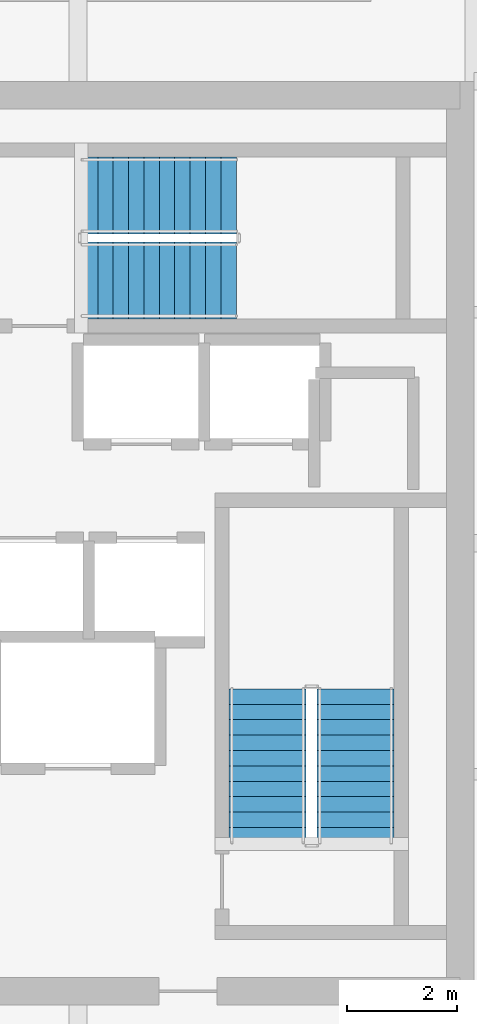
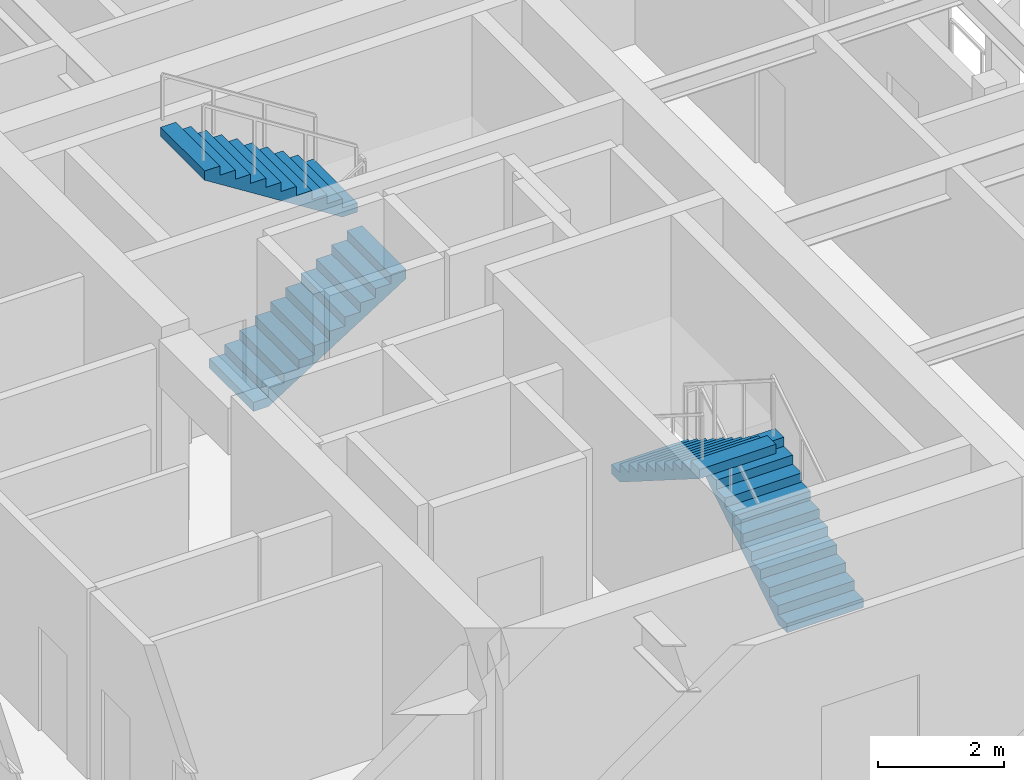
# One storey, part 14 of 16: 4 stair flights, 2 elements without a shape of their own.
"""IFC4 building model written with IfcOpenShell, lengths in metres."""

from ifc_helpers import new_model, si_unit, direction, frame, origin, place, context, subcontext, project, spatial, polyline, outline, extrude, material, type_object, element, aggregate, save


model = new_model("IFC4")

# Units and contexts
model_context = context("Model", 3, precision=1e-05, world=origin(), true_north=direction((0.0, 1.0)))
body_context = subcontext(model_context, "Body", "Model", "MODEL_VIEW")
ifc_project = project(units=[si_unit("LENGTHUNIT", "METRE"), si_unit("AREAUNIT", "SQUARE_METRE"), si_unit("VOLUMEUNIT", "CUBIC_METRE"), si_unit("PLANEANGLEUNIT", "RADIAN"), si_unit("MASSUNIT", "GRAM", prefix="KILO")], contexts=[model_context])

# Site, building, storey
site_placement = place(None, origin())
site = spatial("IfcSite", under=ifc_project, at=site_placement, CompositionType="ELEMENT")
building_placement = place(site_placement, origin())
building = spatial("IfcBuilding", under=site, at=building_placement, Name="Kiyonajd Concourse Tower", CompositionType="ELEMENT")
storey_placement = place(building_placement, frame((0.0, 0.0, 329.699951171875)))
storey = spatial("IfcBuildingStorey", under=building, at=storey_placement, Name="L83", CompositionType="ELEMENT", Elevation=329.699951171875)

# Stair, stair flights
ifc_material = material(Name="Concrete C40/50", Category="concrete")
stair_type = type_object("IfcStairType", Name="ST-DLG-22R", PredefinedType="HALF_TURN_STAIR", material=ifc_material)
stair_1_placement = place(storey_placement, origin())
stair_1 = element("IfcStair", 1, at=stair_1_placement, inside=storey, type_object=stair_type, Name="L83 Protected Exit Stair ST2", PredefinedType="HALF_TURN_STAIR")
stair_flight_type = type_object("IfcStairFlightType", Name="SF-STR-22R", PredefinedType="STRAIGHT", material=ifc_material)
stair_flight_1_placement = place(storey_placement, frame((61.449951171875, 30.550048828125, 0.0), z_axis=(0.0, 0.0, 1.0), x_axis=(0.0, 1.0, 0.0)))
stair_flight_1 = element("IfcStairFlight", 2, at=stair_flight_1_placement, type_object=stair_flight_type, Name="ST2 flight 1", NumberOfRisers=11, NumberOfTreads=10, PredefinedType="STRAIGHT", RiserHeight=0.177272727, TreadLength=0.28, context=body_context, shape_type="SweptSolid", body=[
    extrude(outline(polyline([(0.0, 0.0), (0.0, 0.17724609375), (0.280029296875, 0.17724609375), (0.280029296875, 0.3544921875), (0.56005859375, 0.3544921875), (0.56005859375, 0.53173828125), (0.840087890625, 0.53173828125), (0.840087890625, 0.708984375), (1.1201171875, 0.708984375), (1.1201171875, 0.886474609375), (1.39990234375, 0.886474609375), (1.39990234375, 1.063720703125), (1.679931640625, 1.063720703125), (1.679931640625, 1.240966796875), (1.9599609375, 1.240966796875), (1.9599609375, 1.418212890625), (2.239990234375, 1.418212890625), (2.239990234375, 1.595458984375), (2.52001953125, 1.595458984375), (2.52001953125, 1.772705078125), (2.800048828125, 1.772705078125), (2.800048828125, 1.949951171875), (2.800048828125, 1.59521484375), (0.2802734375, 0.0), (0.0, 0.0)])), frame((0.0, 0.699951171875, 0.0), z_axis=(0.0, -1.0, 0.0), x_axis=(1.0, 0.0, 0.0)), (0.0, 0.0, 1.0), 1.39990234375),
])
stair_flight_2_placement = place(storey_placement, frame((59.85009765625, 33.35009765625, 1.949951171875), z_axis=(0.0, 0.0, 1.0), x_axis=(0.0, -1.0, 0.0)))
stair_flight_2 = element("IfcStairFlight", 3, at=stair_flight_2_placement, type_object=stair_flight_type, Name="ST2 flight 2", NumberOfRisers=11, NumberOfTreads=10, PredefinedType="STRAIGHT", RiserHeight=0.177272727, TreadLength=0.28, context=body_context, shape_type="SweptSolid", body=[
    extrude(outline(polyline([(0.0, 0.0), (0.0, 0.17724609375), (0.280029296875, 0.17724609375), (0.280029296875, 0.3544921875), (0.56005859375, 0.3544921875), (0.56005859375, 0.53173828125), (0.840087890625, 0.53173828125), (0.840087890625, 0.708984375), (1.1201171875, 0.708984375), (1.1201171875, 0.886474609375), (1.39990234375, 0.886474609375), (1.39990234375, 1.063720703125), (1.679931640625, 1.063720703125), (1.679931640625, 1.240966796875), (1.9599609375, 1.240966796875), (1.9599609375, 1.418212890625), (2.239990234375, 1.418212890625), (2.239990234375, 1.595458984375), (2.52001953125, 1.595458984375), (2.52001953125, 1.772705078125), (2.800048828125, 1.772705078125), (2.800048828125, 1.949951171875), (2.800048828125, 1.59521484375), (0.2802734375, 0.0), (0.0, 0.0)])), frame((0.0, 0.699951171875, 0.0), z_axis=(0.0, -1.0, 0.0), x_axis=(1.0, 0.0, 0.0)), (0.0, 0.0, 1.0), 1.39990234375),
])
aggregate(stair_1, [stair_flight_1, stair_flight_2])

stair_2_placement = place(storey_placement, origin())
stair_2 = element("IfcStair", 4, at=stair_2_placement, inside=storey, type_object=stair_type, Name="L83 Protected Exit Stair ST3", PredefinedType="HALF_TURN_STAIR")
stair_flight_3_placement = place(storey_placement, frame((56.47998046875, 40.780029296875, 0.0), z_axis=(0.0, 0.0, 1.0), x_axis=(1.0, 0.0, 0.0)))
stair_flight_3 = element("IfcStairFlight", 5, at=stair_flight_3_placement, type_object=stair_flight_type, Name="ST3 flight 1", NumberOfRisers=11, NumberOfTreads=10, PredefinedType="STRAIGHT", RiserHeight=0.177272727, TreadLength=0.28, context=body_context, shape_type="SweptSolid", body=[
    extrude(outline(polyline([(0.0, 0.0), (0.0, 0.17724609375), (0.280029296875, 0.17724609375), (0.280029296875, 0.3544921875), (0.56005859375, 0.3544921875), (0.56005859375, 0.53173828125), (0.840087890625, 0.53173828125), (0.840087890625, 0.708984375), (1.1201171875, 0.708984375), (1.1201171875, 0.886474609375), (1.39990234375, 0.886474609375), (1.39990234375, 1.063720703125), (1.679931640625, 1.063720703125), (1.679931640625, 1.240966796875), (1.9599609375, 1.240966796875), (1.9599609375, 1.418212890625), (2.239990234375, 1.418212890625), (2.239990234375, 1.595458984375), (2.52001953125, 1.595458984375), (2.52001953125, 1.772705078125), (2.800048828125, 1.772705078125), (2.800048828125, 1.949951171875), (2.800048828125, 1.59521484375), (0.2802734375, 0.0), (0.0, 0.0)])), frame((0.0, 0.699951171875, 0.0), z_axis=(0.0, -1.0, 0.0), x_axis=(1.0, 0.0, 0.0)), (0.0, 0.0, 1.0), 1.39990234375),
])
stair_flight_4_placement = place(storey_placement, frame((59.280029296875, 42.320068359375, 1.949951171875), z_axis=(0.0, 0.0, 1.0), x_axis=(-1.0, 0.0, 0.0)))
stair_flight_4 = element("IfcStairFlight", 6, at=stair_flight_4_placement, type_object=stair_flight_type, Name="ST3 flight 2", NumberOfRisers=11, NumberOfTreads=10, PredefinedType="STRAIGHT", RiserHeight=0.177272727, TreadLength=0.28, context=body_context, shape_type="SweptSolid", body=[
    extrude(outline(polyline([(0.0, 0.0), (0.0, 0.17724609375), (0.280029296875, 0.17724609375), (0.280029296875, 0.3544921875), (0.56005859375, 0.3544921875), (0.56005859375, 0.53173828125), (0.840087890625, 0.53173828125), (0.840087890625, 0.708984375), (1.1201171875, 0.708984375), (1.1201171875, 0.886474609375), (1.39990234375, 0.886474609375), (1.39990234375, 1.063720703125), (1.679931640625, 1.063720703125), (1.679931640625, 1.240966796875), (1.9599609375, 1.240966796875), (1.9599609375, 1.418212890625), (2.239990234375, 1.418212890625), (2.239990234375, 1.595458984375), (2.52001953125, 1.595458984375), (2.52001953125, 1.772705078125), (2.800048828125, 1.772705078125), (2.800048828125, 1.949951171875), (2.800048828125, 1.59521484375), (0.2802734375, 0.0), (0.0, 0.0)])), frame((0.0, 0.699951171875, 0.0), z_axis=(0.0, -1.0, 0.0), x_axis=(1.0, 0.0, 0.0)), (0.0, 0.0, 1.0), 1.39990234375),
])
aggregate(stair_2, [stair_flight_3, stair_flight_4])

save(model, "model.ifc")
